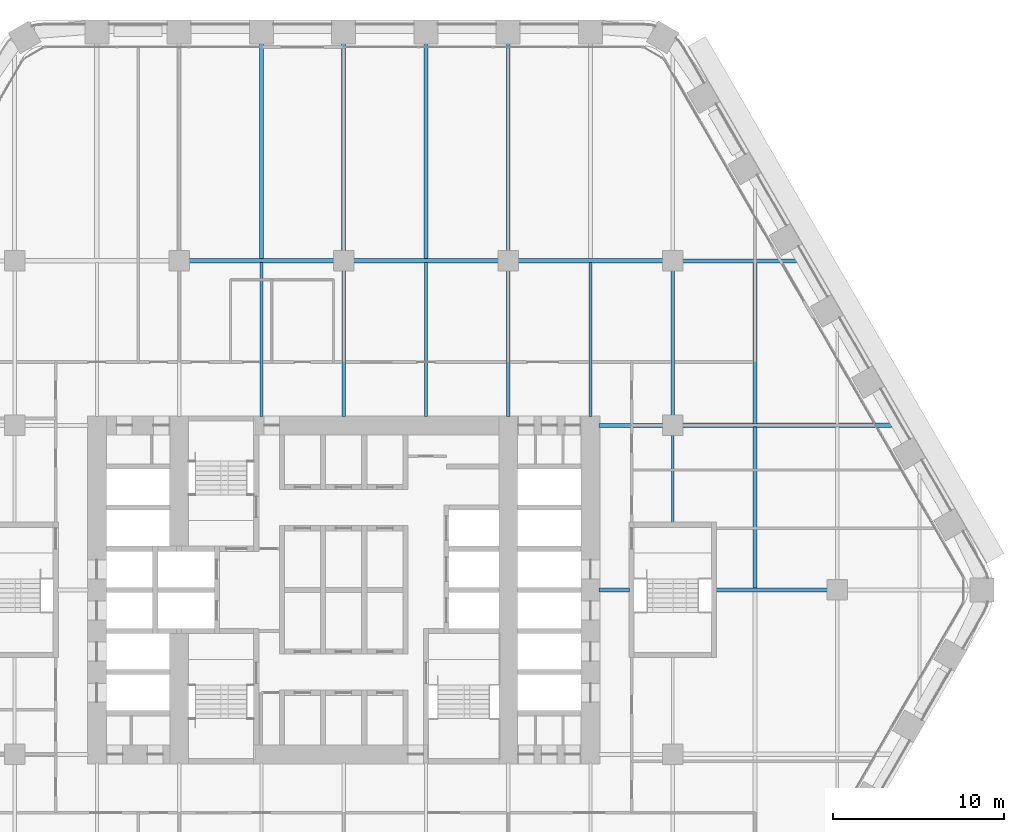
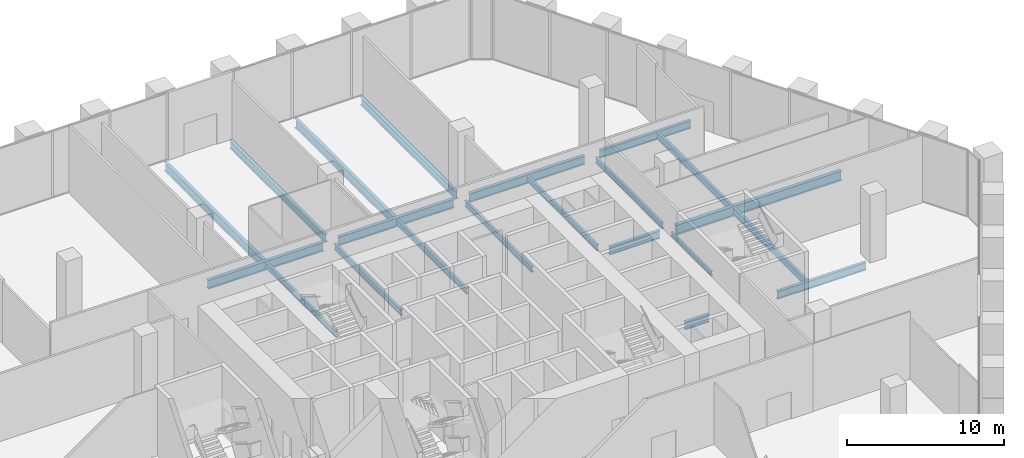
# One storey, part 9 of 27: 21 beams.
"""IFC4 building model written with IfcOpenShell, lengths in metres."""

from ifc_helpers import new_model, si_unit, direction, frame, origin, origin_2d, place, context, subcontext, project, spatial, i_section, extrude, material, material_profile, profile_set, type_object, element, save


model = new_model("IFC4")

# Units and contexts
model_context = context("Model", 3, precision=1e-05, world=origin(), true_north=direction((0.0, 1.0)))
body_context = subcontext(model_context, "Body", "Model", "MODEL_VIEW")
ifc_project = project(units=[si_unit("LENGTHUNIT", "METRE"), si_unit("AREAUNIT", "SQUARE_METRE"), si_unit("VOLUMEUNIT", "CUBIC_METRE"), si_unit("PLANEANGLEUNIT", "RADIAN"), si_unit("MASSUNIT", "GRAM", prefix="KILO")], contexts=[model_context])

# Site, building, storey
site_placement = place(None, origin())
site = spatial("IfcSite", under=ifc_project, at=site_placement, CompositionType="ELEMENT")
building_placement = place(site_placement, origin())
building = spatial("IfcBuilding", under=site, at=building_placement, Name="Kolab Exchange Tower", CompositionType="ELEMENT")
storey_placement = place(building_placement, frame((0.0, 0.0, 49.89990234375)))
storey = spatial("IfcBuildingStorey", under=building, at=storey_placement, Name="L09", CompositionType="ELEMENT", Elevation=49.89990234375)

# Beams
ifc_material = material(Name="Steel S355", Category="steel")
ifc_material_profile_1 = material_profile(ifc_material, i_section(OverallWidth=0.1650390625, OverallDepth=0.31005859375, WebThickness=0.005859375, FlangeThickness=0.009765625, at=origin_2d()), Name="W310X39")
ifc_profile_set_1 = profile_set([ifc_material_profile_1], Name="Steel S355")
beam_type_1 = type_object("IfcBeamType", Name="FLOOR BEAM W310X39", PredefinedType="BEAM", material=ifc_profile_set_1)
beam_1_placement = place(storey_placement, frame((19.199951171875, 3.909912109375, -0.40478515625), z_axis=(0.0, 1.0, 0.0), x_axis=(-1.0, 0.0, 0.0)))
element("IfcBeam", 1, at=beam_1_placement, inside=storey, type_object=beam_type_1, Name="beam/L09/fr/049", PredefinedType="BEAM", context=body_context, shape_type="SweptSolid", body=[
    extrude(i_section(OverallWidth=0.1650390625, OverallDepth=0.31005859375, WebThickness=0.005859375, FlangeThickness=0.009765625, at=origin_2d()), origin(), (0.0, 0.0, 1.0), 5.130126953125),
])
ifc_material_profile_2 = material_profile(ifc_material, i_section(OverallWidth=0.18994140625, OverallDepth=0.45703125, WebThickness=0.009033203125, FlangeThickness=0.014404296875, at=origin_2d()), Name="W460X74")
ifc_profile_set_2 = profile_set([ifc_material_profile_2], Name="Steel S355")
beam_type_2 = type_object("IfcBeamType", Name="FLOOR BEAM W460X74", PredefinedType="BEAM", material=ifc_profile_set_2)
beam_2_placement = place(storey_placement, frame((-4.800048828125, 10.110107421875, -0.478515625), z_axis=(0.0, 1.0, 0.0), x_axis=(-1.0, 0.0, 0.0)))
element("IfcBeam", 2, at=beam_2_placement, inside=storey, type_object=beam_type_2, Name="beam/L09/fr/028", PredefinedType="BEAM", context=body_context, shape_type="SweptSolid", body=[
    extrude(i_section(OverallWidth=0.18994140625, OverallDepth=0.45703125, WebThickness=0.009033203125, FlangeThickness=0.014404296875, at=origin_2d()), origin(), (0.0, 0.0, 1.0), 9.0029296875),
])
beam_3_placement = place(storey_placement, frame((0.0, 10.110107421875, -0.478515625), z_axis=(0.0, 1.0, 0.0), x_axis=(-1.0, 0.0, 0.0)))
element("IfcBeam", 3, at=beam_3_placement, inside=storey, type_object=beam_type_2, Name="beam/L09/fr/032", PredefinedType="BEAM", context=body_context, shape_type="SweptSolid", body=[
    extrude(i_section(OverallWidth=0.18994140625, OverallDepth=0.45703125, WebThickness=0.009033203125, FlangeThickness=0.014404296875, at=origin_2d()), origin(), (0.0, 0.0, 1.0), 8.52978515625),
])
beam_4_placement = place(storey_placement, frame((4.800048828125, 10.110107421875, -0.478515625), z_axis=(0.0, 1.0, 0.0), x_axis=(-1.0, 0.0, 0.0)))
element("IfcBeam", 4, at=beam_4_placement, inside=storey, type_object=beam_type_2, Name="beam/L09/fr/036", PredefinedType="BEAM", context=body_context, shape_type="SweptSolid", body=[
    extrude(i_section(OverallWidth=0.18994140625, OverallDepth=0.45703125, WebThickness=0.009033203125, FlangeThickness=0.014404296875, at=origin_2d()), origin(), (0.0, 0.0, 1.0), 9.0029296875),
])
beam_5_placement = place(storey_placement, frame((9.60009765625, 10.110107421875, -0.478515625), z_axis=(0.0, 1.0, 0.0), x_axis=(-1.0, 0.0, 0.0)))
element("IfcBeam", 5, at=beam_5_placement, inside=storey, type_object=beam_type_2, Name="beam/L09/fr/040", PredefinedType="BEAM", context=body_context, shape_type="SweptSolid", body=[
    extrude(i_section(OverallWidth=0.18994140625, OverallDepth=0.45703125, WebThickness=0.009033203125, FlangeThickness=0.014404296875, at=origin_2d()), origin(), (0.0, 0.0, 1.0), 8.52978515625),
])
beam_6_placement = place(storey_placement, frame((14.39990234375, 10.110107421875, -0.478515625), z_axis=(0.0, 1.0, 0.0), x_axis=(-1.0, 0.0, 0.0)))
element("IfcBeam", 6, at=beam_6_placement, inside=storey, type_object=beam_type_2, Name="beam/L09/fr/044", PredefinedType="BEAM", context=body_context, shape_type="SweptSolid", body=[
    extrude(i_section(OverallWidth=0.18994140625, OverallDepth=0.45703125, WebThickness=0.009033203125, FlangeThickness=0.014404296875, at=origin_2d()), origin(), (0.0, 0.0, 1.0), 9.0029296875),
])
beam_7_placement = place(storey_placement, frame((19.199951171875, 10.159912109375, -0.478515625), z_axis=(0.0, 1.0, 0.0), x_axis=(-1.0, 0.0, 0.0)))
element("IfcBeam", 7, at=beam_7_placement, inside=storey, type_object=beam_type_2, Name="beam/L09/fr/050", PredefinedType="BEAM", context=body_context, shape_type="SweptSolid", body=[
    extrude(i_section(OverallWidth=0.18994140625, OverallDepth=0.45703125, WebThickness=0.009033203125, FlangeThickness=0.014404296875, at=origin_2d()), origin(), (0.0, 0.0, 1.0), 8.47998046875),
])
ifc_material_profile_3 = material_profile(ifc_material, i_section(OverallWidth=0.208984375, OverallDepth=0.532958984375, WebThickness=0.01025390625, FlangeThickness=0.015625, at=origin_2d()), Name="W530X92")
ifc_profile_set_3 = profile_set([ifc_material_profile_3], Name="Steel S355")
beam_type_3 = type_object("IfcBeamType", Name="FLOOR BEAM W530X92", PredefinedType="BEAM", material=ifc_profile_set_3)
beam_8_placement = place(storey_placement, frame((24.0, 0.073974609375, -0.516357421875), z_axis=(0.0, 1.0, 0.0), x_axis=(-1.0, 0.0, 0.0)))
element("IfcBeam", 8, at=beam_8_placement, inside=storey, type_object=beam_type_3, Name="beam/L09/fr/055", PredefinedType="BEAM", context=body_context, shape_type="SweptSolid", body=[
    extrude(i_section(OverallWidth=0.208984375, OverallDepth=0.532958984375, WebThickness=0.01025390625, FlangeThickness=0.015625, at=origin_2d()), origin(), (0.0, 0.0, 1.0), 9.4326171875),
])
beam_9_placement = place(storey_placement, frame((24.0, 9.693603515625, -0.516357421875), z_axis=(0.0, 1.0, 0.0), x_axis=(-1.0, 0.0, 0.0)))
element("IfcBeam", 9, at=beam_9_placement, inside=storey, type_object=beam_type_3, Name="beam/L09/fr/056", PredefinedType="BEAM", context=body_context, shape_type="SweptSolid", body=[
    extrude(i_section(OverallWidth=0.208984375, OverallDepth=0.532958984375, WebThickness=0.01025390625, FlangeThickness=0.015625, at=origin_2d()), origin(), (0.0, 0.0, 1.0), 9.432373046875),
])
ifc_material_profile_4 = material_profile(ifc_material, i_section(OverallWidth=0.22802734375, OverallDepth=0.60791015625, WebThickness=0.01123046875, FlangeThickness=0.017333984375, at=origin_2d()), Name="W610X113")
ifc_profile_set_4 = profile_set([ifc_material_profile_4], Name="Steel S355")
beam_type_4 = type_object("IfcBeamType", Name="FLOOR BEAM W610X113", PredefinedType="BEAM", material=ifc_profile_set_4)
for number, where, z_axis, x_axis, name in (
    (10, (0.0, 19.760009765625, -0.553955078125), (0.0, 1.0, 0.0), (-1.0, 0.0, 0.0), "beam/L09/fr/033"),
    (11, (9.60009765625, 19.760009765625, -0.553955078125), (0.0, 1.0, 0.0), (-1.0, 0.0, 0.0), "beam/L09/fr/041"),
):
    element("IfcBeam", number, at=place(storey_placement, frame(where, z_axis=z_axis, x_axis=x_axis)), inside=storey, type_object=beam_type_4, Name=name, PredefinedType="BEAM", context=body_context, shape_type="SweptSolid", body=[
        extrude(i_section(OverallWidth=0.22802734375, OverallDepth=0.60791015625, WebThickness=0.01123046875, FlangeThickness=0.017333984375, at=origin_2d()), origin(), (0.0, 0.0, 1.0), 12.135498046875),
    ])
ifc_material_profile_5 = material_profile(ifc_material, i_section(OverallWidth=0.25390625, OverallDepth=0.68408203125, WebThickness=0.012451171875, FlangeThickness=0.018798828125, at=origin_2d()), Name="W690X140")
ifc_profile_set_5 = profile_set([ifc_material_profile_5], Name="Steel S355")
beam_type_5 = type_object("IfcBeamType", Name="FLOOR BEAM W690X140", PredefinedType="BEAM", material=ifc_profile_set_5)
for number, where, z_axis, x_axis, name in (
    (12, (-4.800048828125, 19.287109375, -0.591796875), (0.0, 1.0, 0.0), (-1.0, 0.0, 0.0), "beam/L09/fr/029"),
    (13, (4.800048828125, 19.287109375, -0.591796875), (0.0, 1.0, 0.0), (-1.0, 0.0, 0.0), "beam/L09/fr/037"),
):
    element("IfcBeam", number, at=place(storey_placement, frame(where, z_axis=z_axis, x_axis=x_axis)), inside=storey, type_object=beam_type_5, Name=name, PredefinedType="BEAM", context=body_context, shape_type="SweptSolid", body=[
        extrude(i_section(OverallWidth=0.25390625, OverallDepth=0.68408203125, WebThickness=0.012451171875, FlangeThickness=0.018798828125, at=origin_2d()), origin(), (0.0, 0.0, 1.0), 12.6083984375),
    ])
ifc_material_profile_6 = material_profile(ifc_material, i_section(OverallWidth=0.22802734375, OverallDepth=0.60791015625, WebThickness=0.01123046875, FlangeThickness=0.017333984375, at=origin_2d()), Name="W610X113")
ifc_profile_set_6 = profile_set([ifc_material_profile_6], Name="Steel S355")
beam_type_6 = type_object("IfcBeamType", Name="FLOOR GIRDER W610X113", PredefinedType="BEAM", material=ifc_profile_set_6)
beam_10_placement = place(storey_placement, frame((14.909912109375, 0.0, -0.553955078125), z_axis=(1.0, 0.0, 0.0), x_axis=(0.0, 1.0, 0.0)))
element("IfcBeam", 14, at=beam_10_placement, inside=storey, type_object=beam_type_6, Name="beam/L09/gd/018", PredefinedType="BEAM", context=body_context, shape_type="SweptSolid", body=[
    extrude(i_section(OverallWidth=0.22802734375, OverallDepth=0.60791015625, WebThickness=0.01123046875, FlangeThickness=0.017333984375, at=origin_2d()), origin(), (0.0, 0.0, 1.0), 1.780029296875),
])
beam_11_placement = place(storey_placement, frame((14.909912109375, 9.60009765625, -0.553955078125), z_axis=(1.0, 0.0, 0.0), x_axis=(0.0, 1.0, 0.0)))
element("IfcBeam", 15, at=beam_11_placement, inside=storey, type_object=beam_type_6, Name="beam/L09/gd/019", PredefinedType="BEAM", context=body_context, shape_type="SweptSolid", body=[
    extrude(i_section(OverallWidth=0.22802734375, OverallDepth=0.60791015625, WebThickness=0.01123046875, FlangeThickness=0.017333984375, at=origin_2d()), origin(), (0.0, 0.0, 1.0), 3.72998046875),
])
beam_12_placement = place(storey_placement, frame((19.760009765625, 19.199951171875, -0.553955078125), z_axis=(1.0, 0.0, 0.0), x_axis=(0.0, 1.0, 0.0)))
element("IfcBeam", 16, at=beam_12_placement, inside=storey, type_object=beam_type_6, Name="beam/L09/gd/023", PredefinedType="BEAM", context=body_context, shape_type="SweptSolid", body=[
    extrude(i_section(OverallWidth=0.22802734375, OverallDepth=0.60791015625, WebThickness=0.01123046875, FlangeThickness=0.017333984375, at=origin_2d()), origin(), (0.0, 0.0, 1.0), 6.671142578125),
])
beam_13_placement = place(storey_placement, frame((21.7099609375, 0.0, -0.553955078125), z_axis=(1.0, 0.0, 0.0), x_axis=(0.0, 1.0, 0.0)))
element("IfcBeam", 17, at=beam_13_placement, inside=storey, type_object=beam_type_6, Name="beam/L09/gd/024", PredefinedType="BEAM", context=body_context, shape_type="SweptSolid", body=[
    extrude(i_section(OverallWidth=0.22802734375, OverallDepth=0.60791015625, WebThickness=0.01123046875, FlangeThickness=0.017333984375, at=origin_2d()), origin(), (0.0, 0.0, 1.0), 6.530029296875),
])
ifc_material_profile_7 = material_profile(ifc_material, i_section(OverallWidth=0.25390625, OverallDepth=0.68408203125, WebThickness=0.012451171875, FlangeThickness=0.018798828125, at=origin_2d()), Name="W690X140")
ifc_profile_set_7 = profile_set([ifc_material_profile_7], Name="Steel S355")
beam_type_7 = type_object("IfcBeamType", Name="FLOOR GIRDER W690X140", PredefinedType="BEAM", material=ifc_profile_set_7)
for number, where, z_axis, x_axis, name in (
    (18, (-9.0400390625, 19.199951171875, -0.591796875), (1.0, 0.0, 0.0), (0.0, 1.0, 0.0), "beam/L09/gd/012"),
    (19, (0.56005859375, 19.199951171875, -0.591796875), (1.0, 0.0, 0.0), (0.0, 1.0, 0.0), "beam/L09/gd/014"),
    (20, (10.159912109375, 19.199951171875, -0.591796875), (1.0, 0.0, 0.0), (0.0, 1.0, 0.0), "beam/L09/gd/016"),
):
    element("IfcBeam", number, at=place(storey_placement, frame(where, z_axis=z_axis, x_axis=x_axis)), inside=storey, type_object=beam_type_7, Name=name, PredefinedType="BEAM", context=body_context, shape_type="SweptSolid", body=[
        extrude(i_section(OverallWidth=0.25390625, OverallDepth=0.68408203125, WebThickness=0.012451171875, FlangeThickness=0.018798828125, at=origin_2d()), origin(), (0.0, 0.0, 1.0), 8.47998046875),
    ])
ifc_material_profile_8 = material_profile(ifc_material, i_section(OverallWidth=0.26708984375, OverallDepth=0.761962890625, WebThickness=0.014404296875, FlangeThickness=0.021484375, at=origin_2d()), Name="W760X173")
ifc_profile_set_8 = profile_set([ifc_material_profile_8], Name="Steel S355")
beam_type_8 = type_object("IfcBeamType", Name="FLOOR GIRDER W760X173", PredefinedType="BEAM", material=ifc_profile_set_8)
beam_14_placement = place(storey_placement, frame((19.760009765625, 9.60009765625, -0.630859375), z_axis=(1.0, 0.0, 0.0), x_axis=(0.0, 1.0, 0.0)))
element("IfcBeam", 21, at=beam_14_placement, inside=storey, type_object=beam_type_8, Name="beam/L09/gd/022", PredefinedType="BEAM", context=body_context, shape_type="SweptSolid", body=[
    extrude(i_section(OverallWidth=0.26708984375, OverallDepth=0.761962890625, WebThickness=0.014404296875, FlangeThickness=0.021484375, at=origin_2d()), origin(), (0.0, 0.0, 1.0), 12.213623046875),
])

save(model, "model.ifc")
